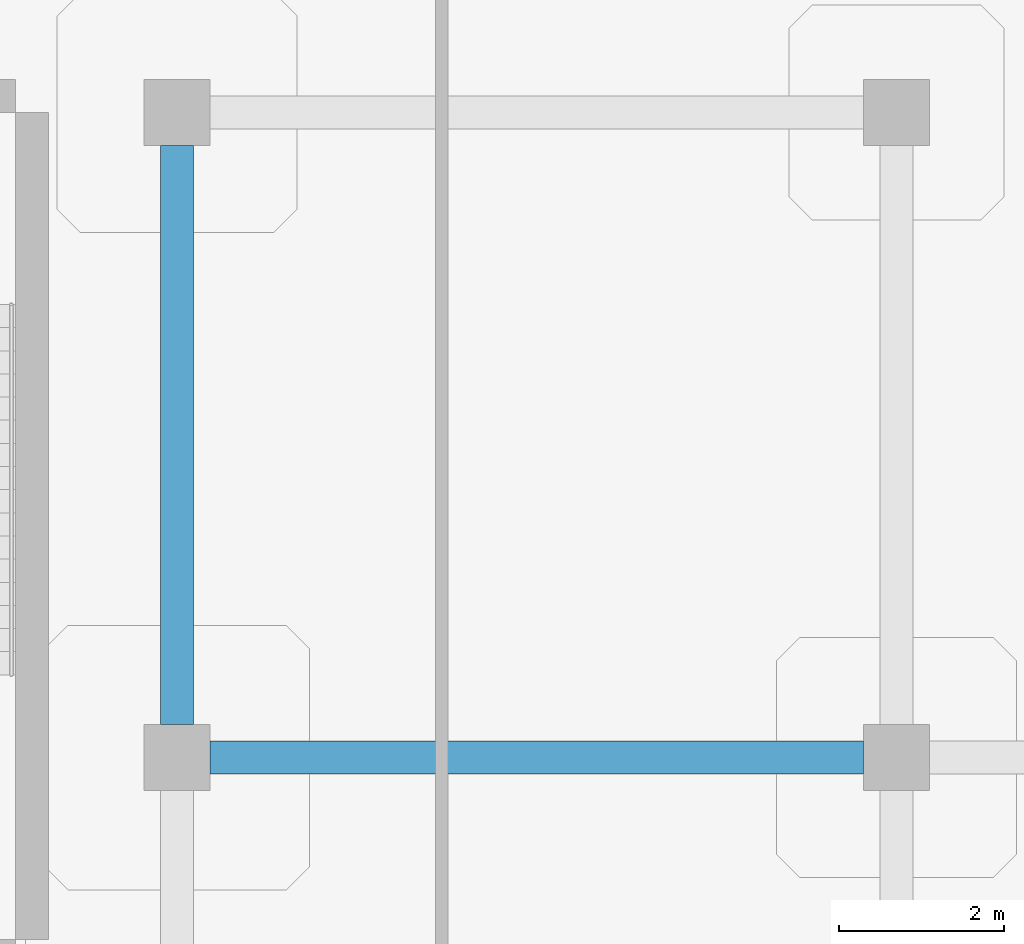
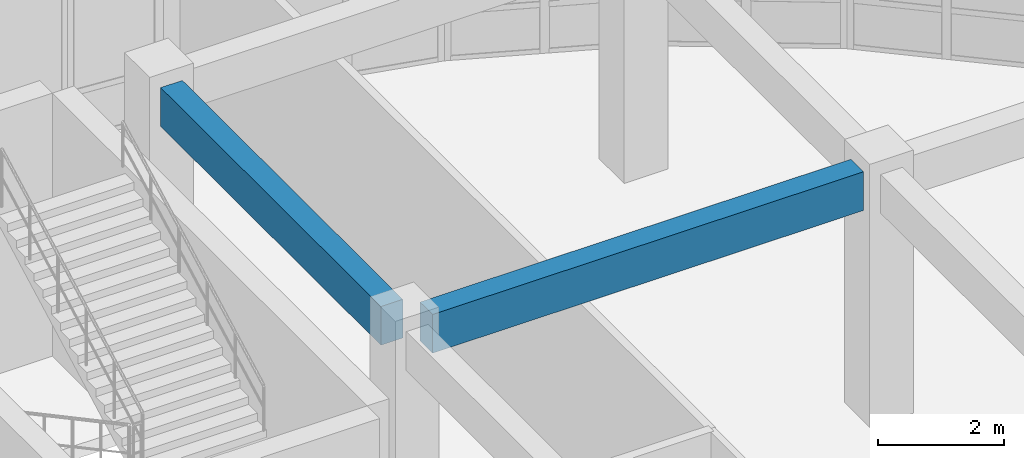
# One storey, part 67 of 124: 2 beams.
"""IFC4 building model written with IfcOpenShell, lengths in metres."""

from ifc_helpers import new_model, si_unit, derived_unit, direction, frame, origin, origin_2d, place, context, subcontext, project, spatial, rectangle, extrude, material, material_profile, profile_set, type_object, element, save


model = new_model("IFC4")

# Units and contexts
model_context = context("Model", 3, precision=1e-05, world=origin(), true_north=direction((0.0, 1.0)))
body_context = subcontext(model_context, "Body", "Model", "MODEL_VIEW")
ifc_project = project(units=[si_unit("LENGTHUNIT", "METRE"), si_unit("AREAUNIT", "SQUARE_METRE"), si_unit("VOLUMEUNIT", "CUBIC_METRE"), si_unit("PLANEANGLEUNIT", "RADIAN"), si_unit("MASSUNIT", "GRAM", prefix="KILO"), derived_unit("THERMALTRANSMITTANCEUNIT", [(si_unit("MASSUNIT", "GRAM", prefix="KILO"), 1), (si_unit("TIMEUNIT", "SECOND"), -3), (si_unit("THERMODYNAMICTEMPERATUREUNIT", "KELVIN"), -1)])], contexts=[model_context])

# Site, building, storey
site_placement = place(None, origin())
site = spatial("IfcSite", under=ifc_project, at=site_placement, CompositionType="ELEMENT")
building_placement = place(site_placement, origin())
building = spatial("IfcBuilding", under=site, at=building_placement, Name="Qinzheling Arcade Emporium", CompositionType="ELEMENT")
storey_placement = place(building_placement, frame((0.0, 0.0, 16.5)))
storey = spatial("IfcBuildingStorey", under=building, at=storey_placement, Name="L04", CompositionType="ELEMENT", Elevation=16.5)

# Beams
ifc_material = material(Name="Concrete C40", Category="concrete")
ifc_material_profile = material_profile(ifc_material, rectangle(XDim=0.39990234375, YDim=0.75, at=origin_2d()), Name="RC 400x750", Category="concrete")
ifc_profile_set = profile_set([ifc_material_profile], Name="Concrete C40")
beam_type = type_object("IfcBeamType", Name="RC Interior Tie Beam 400x750 C40", PredefinedType="BEAM", material=ifc_profile_set)
beam_1_placement = place(storey_placement, frame((122.199951171875, 99.0, 4.4599609375), z_axis=(1.0, 0.0, 0.0), x_axis=(0.0, 1.0, 0.0)))
element("IfcBeam", 1, at=beam_1_placement, inside=storey, type_object=beam_type, Name="Beam BM-L04-X-M-15", PredefinedType="BEAM", context=body_context, shape_type="SweptSolid", body=[
    extrude(rectangle(XDim=0.39990234375, YDim=0.75, at=origin_2d()), origin(), (0.0, 0.0, 1.0), 7.900146484375),
])
beam_2_placement = place(storey_placement, frame((121.800048828125, 99.39990234375, 4.4599609375), z_axis=(0.0, 1.0, 0.0), x_axis=(-1.0, 0.0, 0.0)))
element("IfcBeam", 2, at=beam_2_placement, inside=storey, type_object=beam_type, Name="Beam BM-L04-Y-15-M", PredefinedType="BEAM", context=body_context, shape_type="SweptSolid", body=[
    extrude(rectangle(XDim=0.39990234375, YDim=0.75, at=origin_2d()), origin(), (0.0, 0.0, 1.0), 7.0),
])

save(model, "model.ifc")
